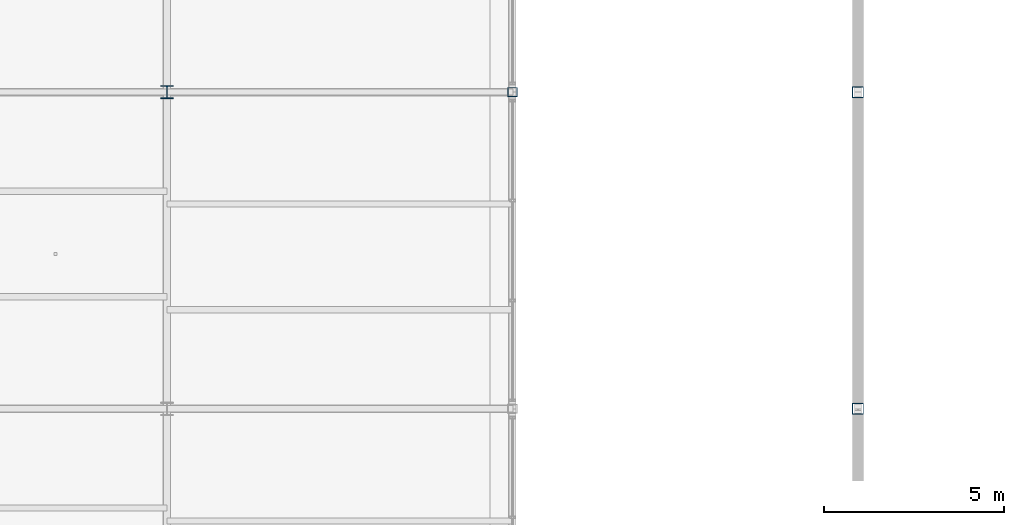
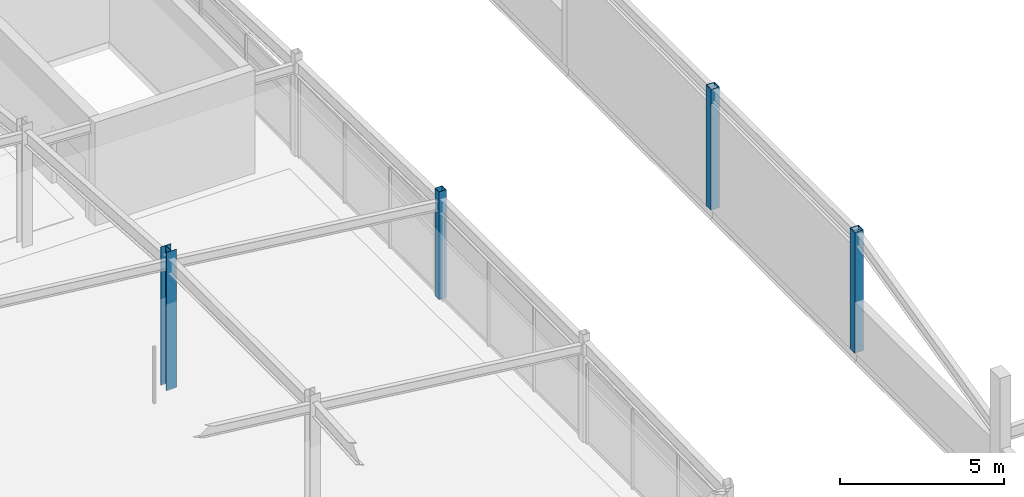
# One storey, part 3 of 114: 4 columns.
"""IFC4 building model written with IfcOpenShell, lengths in metres."""

from ifc_helpers import new_model, si_unit, direction, frame, origin, origin_2d, place, context, subcontext, project, spatial, hollow_rectangle, i_section, extrude, material, material_profile, profile_set, type_object, element, save


model = new_model("IFC4")

# Units and contexts
model_context = context("Model", 3, precision=1e-05, world=origin(), true_north=direction((0.0, 1.0)))
body_context = subcontext(model_context, "Body", "Model", "MODEL_VIEW")
ifc_project = project(units=[si_unit("LENGTHUNIT", "METRE"), si_unit("AREAUNIT", "SQUARE_METRE"), si_unit("VOLUMEUNIT", "CUBIC_METRE"), si_unit("PLANEANGLEUNIT", "RADIAN"), si_unit("MASSUNIT", "GRAM", prefix="KILO")], contexts=[model_context])

# Site, building, storey
site_placement = place(None, origin())
site = spatial("IfcSite", under=ifc_project, at=site_placement, CompositionType="ELEMENT")
building_placement = place(site_placement, origin())
building = spatial("IfcBuilding", under=site, at=building_placement, Name="Chalmorin Arch Market", CompositionType="ELEMENT")
storey_placement = place(building_placement, frame((0.0, 0.0, 9.60009765625)))
storey = spatial("IfcBuildingStorey", under=building, at=storey_placement, Name="L02", CompositionType="ELEMENT", Elevation=9.60009765625)

# Columns
ifc_material_1 = material(Name="Steel A500 Grade C", Category="steel")
ifc_material_profile_1 = material_profile(ifc_material_1, hollow_rectangle(XDim=0.25390625, YDim=0.25390625, WallThickness=0.01171875, at=origin_2d()), Name="HSS10X10X1/2")
ifc_profile_set_1 = profile_set([ifc_material_profile_1], Name="Steel A500 Grade C")
column_type_1 = type_object("IfcColumnType", Name="SteelTubeColumn-HSS10X10", PredefinedType="COLUMN", material=ifc_profile_set_1)
column_1_placement = place(storey_placement, frame((38.39990234375, 32.39990234375, 0.0), z_axis=(0.0, 0.0, 1.0), x_axis=(1.0, 0.0, 0.0)))
element("IfcColumn", 1, at=column_1_placement, inside=storey, type_object=column_type_1, Name="C-HS2-167", PredefinedType="COLUMN", context=body_context, shape_type="SweptSolid", body=[
    extrude(hollow_rectangle(XDim=0.25390625, YDim=0.25390625, WallThickness=0.01171875, at=origin_2d()), origin(), (0.0, 0.0, 1.0), 4.015869140625),
])
ifc_material_profile_2 = material_profile(ifc_material_1, hollow_rectangle(XDim=0.3046875, YDim=0.3046875, WallThickness=0.01171875, at=origin_2d()), Name="HSS12X12X1/2")
ifc_profile_set_2 = profile_set([ifc_material_profile_2], Name="Steel A500 Grade C")
column_type_2 = type_object("IfcColumnType", Name="SteelTubeColumn-HSS12X12", PredefinedType="COLUMN", material=ifc_profile_set_2)
for number, where, z_axis, x_axis, name in (
    (2, (48.0, 23.60009765625, 0.0), (0.0, 0.0, 1.0), (1.0, 0.0, 0.0), "C-HS1-203"),
    (3, (48.0, 32.39990234375, 0.0), (0.0, 0.0, 1.0), (1.0, 0.0, 0.0), "C-HS1-208"),
):
    element("IfcColumn", number, at=place(storey_placement, frame(where, z_axis=z_axis, x_axis=x_axis)), inside=storey, type_object=column_type_2, Name=name, PredefinedType="COLUMN", context=body_context, shape_type="SweptSolid", body=[
        extrude(hollow_rectangle(XDim=0.3046875, YDim=0.3046875, WallThickness=0.01171875, at=origin_2d()), origin(), (0.0, 0.0, 1.0), 4.5),
    ])
ifc_material_2 = material(Name="Steel A992 Grade 50", Category="steel")
ifc_material_profile_3 = material_profile(ifc_material_2, i_section(OverallWidth=0.35595703125, OverallDepth=0.35595703125, WebThickness=0.01123046875, FlangeThickness=0.01806640625, FilletRadius=0.02490234375, at=origin_2d()), Name="W14X90")
ifc_profile_set_3 = profile_set([ifc_material_profile_3], Name="Steel A992 Grade 50")
column_type_3 = type_object("IfcColumnType", Name="WideFlangeColumn-W14X90", PredefinedType="COLUMN", material=ifc_profile_set_3)
column_2_placement = place(storey_placement, frame((28.800048828125, 32.39990234375, 0.0), z_axis=(0.0, 0.0, 1.0), x_axis=(1.0, 0.0, 0.0)))
element("IfcColumn", 4, at=column_2_placement, inside=storey, type_object=column_type_3, Name="C-ST2-130", PredefinedType="COLUMN", context=body_context, shape_type="SweptSolid", body=[
    extrude(i_section(OverallWidth=0.35595703125, OverallDepth=0.35595703125, WebThickness=0.01123046875, FlangeThickness=0.01806640625, FilletRadius=0.02490234375, at=origin_2d()), origin(), (0.0, 0.0, 1.0), 5.1669921875),
])

save(model, "model.ifc")
